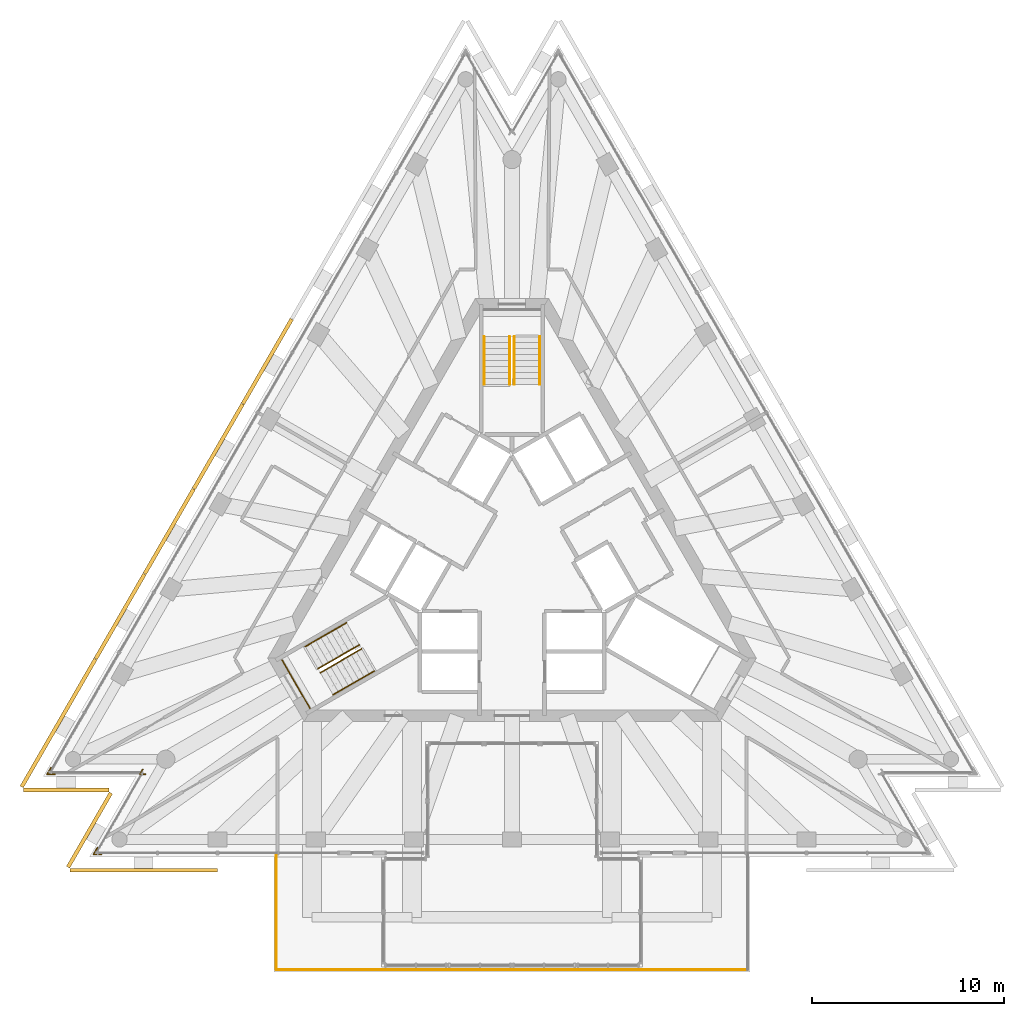
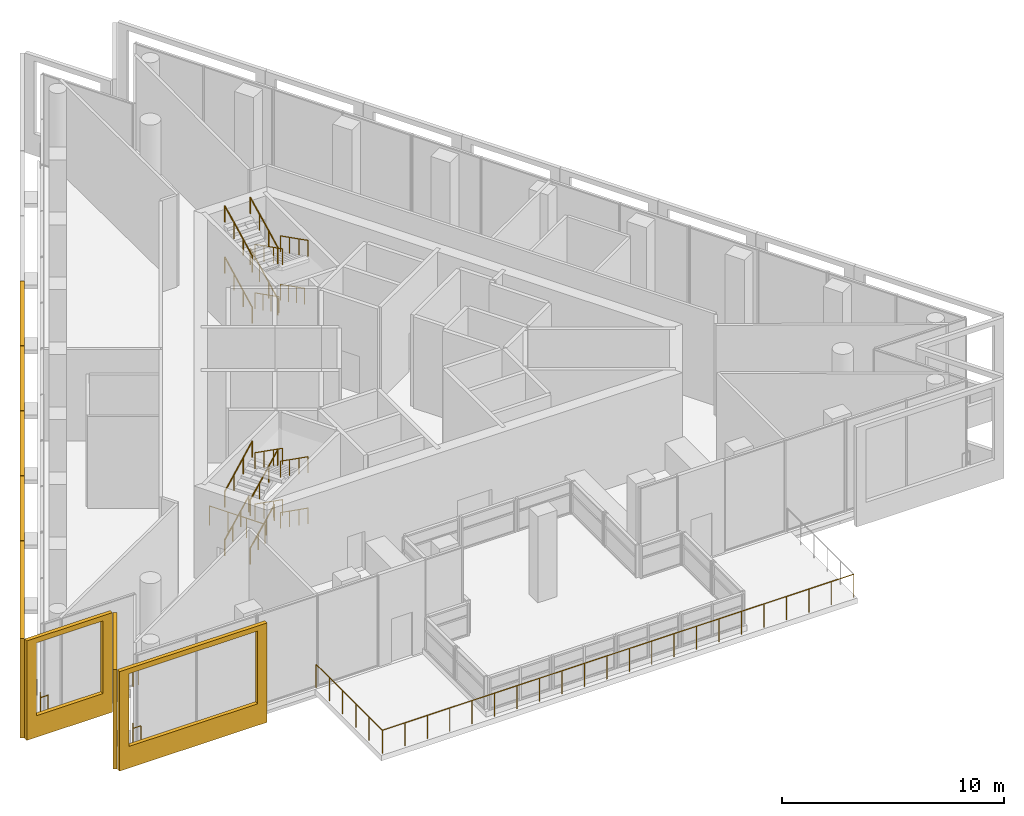
# One storey, part 16 of 17: 22 railings, 8 shading devices, 2 elements without a shape of their own.
"""IFC4 building model written with IfcOpenShell, lengths in metres."""

from ifc_helpers import new_model, si_unit, direction, frame, origin, origin_2d, place, context, subcontext, project, spatial, polyline, circle, outline, extrude, material, layer, layer_set, type_object, element, aggregate, save


model = new_model("IFC4")

# Units and contexts
model_context = context("Model", 3, precision=1e-05, world=origin(), true_north=direction((0.0, 1.0)))
body_context = subcontext(model_context, "Body", "Model", "MODEL_VIEW")
ifc_project = project(units=[si_unit("LENGTHUNIT", "METRE"), si_unit("AREAUNIT", "SQUARE_METRE"), si_unit("VOLUMEUNIT", "CUBIC_METRE"), si_unit("PLANEANGLEUNIT", "RADIAN"), si_unit("MASSUNIT", "GRAM", prefix="KILO")], contexts=[model_context])

# Site, building, storey
site_placement = place(None, origin())
site = spatial("IfcSite", under=ifc_project, at=site_placement, CompositionType="ELEMENT")
building_placement = place(site_placement, origin())
building = spatial("IfcBuilding", under=site, at=building_placement, Name="Triada Interchange Tower", CompositionType="ELEMENT")
storey_placement = place(building_placement, frame((0.0, 0.0, 322.300048828125)))
storey = spatial("IfcBuildingStorey", under=building, at=storey_placement, Name="L77", CompositionType="ELEMENT", Elevation=322.300048828125)

# Railings
ifc_material_1 = material(Name="Stainless steel 1.4301", Category="steel")
railing_type_1 = type_object("IfcRailingType", Name="Edge guard 1100", PredefinedType="GUARDRAIL", material=ifc_material_1)
railing_1_placement = place(storey_placement, frame((-24.02001953125, -10.843017578125, 0.0)))
element("IfcRailing", 1, at=railing_1_placement, inside=storey, type_object=railing_type_1, Name="Edge guard L77 corner 02", PredefinedType="GUARDRAIL", context=body_context, shape_type="SweptSolid", body=[
    extrude(circle(Radius=0.02392578125, at=origin_2d()), frame((0.0, 0.0, 1.076171875), z_axis=(-0.49930626892, -0.866425559305, 0.0), x_axis=(0.866425559305, -0.49930626892, 0.0)), (0.0, 0.0, 1.0), 0.40625),
    extrude(circle(Radius=0.02392578125, at=origin_2d()), frame((-0.202880859375, -0.35205078125, 1.076171875), z_axis=(1.0, 0.0, 0.0), x_axis=(0.0, 1.0, 0.0)), (0.0, 0.0, 1.0), 0.406005859375),
    extrude(circle(Radius=0.02099609375, at=origin_2d()), origin(), (0.0, 0.0, 1.0), 1.052001953125),
    extrude(circle(Radius=0.02099609375, at=origin_2d()), frame((-0.202880859375, -0.35205078125, 0.0)), (0.0, 0.0, 1.0), 1.052001953125),
    extrude(circle(Radius=0.02099609375, at=origin_2d()), frame((0.203125, -0.35205078125, 0.0)), (0.0, 0.0, 1.0), 1.052001953125),
])
railing_2_placement = place(storey_placement, frame((-19.10400390625, -11.195068359375, 0.0)))
element("IfcRailing", 2, at=railing_2_placement, inside=storey, type_object=railing_type_1, Name="Edge guard L77 corner 03", PredefinedType="GUARDRAIL", context=body_context, shape_type="SweptSolid", body=[
    extrude(circle(Radius=0.02392578125, at=origin_2d()), frame((0.0, 0.0, 1.076171875), z_axis=(-1.0, 0.0, 0.0), x_axis=(0.0, -1.0, 0.0)), (0.0, 0.0, 1.0), 0.285888671875),
    extrude(circle(Radius=0.02392578125, at=origin_2d()), frame((-0.285888671875, 0.0, 1.076171875), z_axis=(0.498983857023, 0.866611279889, 0.0), x_axis=(-0.866611279889, 0.498983857023, 0.0)), (0.0, 0.0, 1.0), 0.2861328125),
    extrude(circle(Radius=0.02099609375, at=origin_2d()), origin(), (0.0, 0.0, 1.0), 1.052001953125),
    extrude(circle(Radius=0.02099609375, at=origin_2d()), frame((-0.285888671875, 0.0, 0.0)), (0.0, 0.0, 1.0), 1.052001953125),
    extrude(circle(Radius=0.02099609375, at=origin_2d()), frame((-0.14306640625, 0.248046875, 0.0)), (0.0, 0.0, 1.0), 1.052001953125),
])
railing_3_placement = place(storey_placement, frame((-21.60302734375, -15.028076171875, 0.0)))
element("IfcRailing", 3, at=railing_3_placement, inside=storey, type_object=railing_type_1, Name="Edge guard L77 corner 04", PredefinedType="GUARDRAIL", context=body_context, shape_type="SweptSolid", body=[
    extrude(circle(Radius=0.02392578125, at=origin_2d()), frame((0.0, 0.0, 1.076171875), z_axis=(-0.499566316511, -0.86627564632, 0.0), x_axis=(0.86627564632, -0.499566316511, 0.0)), (0.0, 0.0, 1.0), 0.406005859375),
    extrude(circle(Radius=0.02392578125, at=origin_2d()), frame((-0.202880859375, -0.351806640625, 1.076171875), z_axis=(1.0, 0.0, 0.0), x_axis=(0.0, 1.0, 0.0)), (0.0, 0.0, 1.0), 0.406005859375),
    extrude(circle(Radius=0.02099609375, at=origin_2d()), origin(), (0.0, 0.0, 1.0), 1.052001953125),
    extrude(circle(Radius=0.02099609375, at=origin_2d()), frame((-0.202880859375, -0.351806640625, 0.0)), (0.0, 0.0, 1.0), 1.052001953125),
    extrude(circle(Radius=0.02099609375, at=origin_2d()), frame((0.203125, -0.351806640625, 0.0)), (0.0, 0.0, 1.0), 1.052001953125),
])

# Shading devices
ifc_material_2 = material(Name="Concrete C50/60 precast", Category="concrete")
ifc_layer_1 = layer(ifc_material_2, 0.02001953125, Name="Exposed aggregate face")
ifc_layer_2 = layer(ifc_material_2, 0.179931640625, Name="Precast concrete screen")
ifc_layer_set = layer_set([ifc_layer_1, ifc_layer_2], Name="Outer skin screen panel 5480")
shading_device_type = type_object("IfcShadingDeviceType", Name="Outer skin screen panel 5480", PredefinedType="SHUTTER", material=ifc_layer_set)
shading_device_1_placement = place(storey_placement, frame((-11.39111328125, 12.469970703125, -0.2900390625), z_axis=(0.0, 0.0, 1.0), x_axis=(-0.500036405339, -0.866004384132, 0.0)))
element("IfcShadingDevice", 4, at=shading_device_1_placement, inside=storey, type_object=shading_device_type, Name="Outer skin screen panel L77 04", PredefinedType="SHUTTER", context=body_context, shape_type="SweptSolid", body=[
    extrude(outline(polyline([(0.0, 0.0), (5.09326171875, 0.0), (5.09326171875, 5.47998046875), (0.0, 5.47998046875), (0.0, 0.0)]), holes=[polyline([(0.5, 1.18994140625), (0.5, 5.199951171875), (4.593994140625, 5.199951171875), (4.593994140625, 1.18994140625), (0.5, 1.18994140625)])]), frame((0.0, 0.0, 0.0), z_axis=(0.0, -1.0, 0.0), x_axis=(1.0, 0.0, 0.0)), (0.0, 0.0, 1.0), 0.199951171875),
])
shading_device_2_placement = place(storey_placement, frame((-13.947998046875, 8.041015625, -0.2900390625), z_axis=(0.0, 0.0, 1.0), x_axis=(-0.500051595647, -0.865995612974, 0.0)))
element("IfcShadingDevice", 5, at=shading_device_2_placement, inside=storey, type_object=shading_device_type, Name="Outer skin screen panel L77 05", PredefinedType="SHUTTER", context=body_context, shape_type="SweptSolid", body=[
    extrude(outline(polyline([(0.0, 0.0), (5.09375, 0.0), (5.09375, 5.47998046875), (0.0, 5.47998046875), (0.0, 0.0)]), holes=[polyline([(0.5, 1.18994140625), (0.5, 5.199951171875), (4.593994140625, 5.199951171875), (4.593994140625, 1.18994140625), (0.5, 1.18994140625)])]), frame((0.0, 0.0, 0.0), z_axis=(0.0, -1.0, 0.0), x_axis=(1.0, 0.0, 0.0)), (0.0, 0.0, 1.0), 0.199951171875),
])
for number, where, z_axis, x_axis, name in (
    (6, (-16.5048828125, 3.613037109375, -0.2900390625), (0.0, 0.0, 1.0), (-0.499968584574, -0.866043540729, 0.0), "Outer skin screen panel L77 06"),
    (7, (-19.06201171875, -0.81591796875, -0.2900390625), (0.0, 0.0, 1.0), (-0.499932640395, -0.866064290378, 0.0), "Outer skin screen panel L77 07"),
):
    element("IfcShadingDevice", number, at=place(storey_placement, frame(where, z_axis=z_axis, x_axis=x_axis)), inside=storey, type_object=shading_device_type, Name=name, PredefinedType="SHUTTER", context=body_context, shape_type="SweptSolid", body=[
        extrude(outline(polyline([(0.0, 0.0), (5.094482421875, 0.0), (5.094482421875, 5.47998046875), (0.0, 5.47998046875), (0.0, 0.0)]), holes=[polyline([(0.5, 1.18994140625), (0.5, 5.199951171875), (4.593994140625, 5.199951171875), (4.593994140625, 1.18994140625), (0.5, 1.18994140625)])]), frame((0.0, 0.0, 0.0), z_axis=(0.0, -1.0, 0.0), x_axis=(1.0, 0.0, 0.0)), (0.0, 0.0, 1.0), 0.199951171875),
    ])
shading_device_3_placement = place(storey_placement, frame((-21.618896484375, -5.2451171875, -0.2900390625), z_axis=(0.0, 0.0, 1.0), x_axis=(-0.50005124388, -0.865995816095, 0.0)))
element("IfcShadingDevice", 8, at=shading_device_3_placement, inside=storey, type_object=shading_device_type, Name="Outer skin screen panel L77 08", PredefinedType="SHUTTER", context=body_context, shape_type="SweptSolid", body=[
    extrude(outline(polyline([(0.0, 0.0), (7.691650390625, 0.0), (7.691650390625, 5.47998046875), (0.0, 5.47998046875), (0.0, 0.0)]), holes=[polyline([(0.5, 1.18994140625), (0.5, 5.199951171875), (7.19189453125, 5.199951171875), (7.19189453125, 1.18994140625), (0.5, 1.18994140625)])]), frame((0.0, 0.0, 0.0), z_axis=(0.0, -1.0, 0.0), x_axis=(1.0, 0.0, 0.0)), (0.0, 0.0, 1.0), 0.199951171875),
])
shading_device_4_placement = place(storey_placement, frame((-25.4599609375, -11.9150390625, -0.2900390625), z_axis=(0.0, 0.0, 1.0), x_axis=(1.0, 0.0, 0.0)))
element("IfcShadingDevice", 9, at=shading_device_4_placement, inside=storey, type_object=shading_device_type, Name="Outer skin screen panel L77 09", PredefinedType="SHUTTER", context=body_context, shape_type="SweptSolid", body=[
    extrude(outline(polyline([(0.0, 0.0), (4.466064453125, 0.0), (4.466064453125, 5.47998046875), (0.0, 5.47998046875), (0.0, 0.0)]), holes=[polyline([(0.5, 1.18994140625), (0.5, 5.199951171875), (3.966064453125, 5.199951171875), (3.966064453125, 1.18994140625), (0.5, 1.18994140625)])]), frame((0.0, 0.0, 0.0), z_axis=(0.0, -1.0, 0.0), x_axis=(1.0, 0.0, 0.0)), (0.0, 0.0, 1.0), 0.199951171875),
])
shading_device_5_placement = place(storey_placement, frame((-20.81494140625, -12.22412109375, -0.2900390625), z_axis=(0.0, 0.0, 1.0), x_axis=(-0.500096321064, -0.86596978565, 0.0)))
element("IfcShadingDevice", 10, at=shading_device_5_placement, inside=storey, type_object=shading_device_type, Name="Outer skin screen panel L77 10", PredefinedType="SHUTTER", context=body_context, shape_type="SweptSolid", body=[
    extrude(outline(polyline([(0.0, 0.0), (4.46533203125, 0.0), (4.46533203125, 5.47998046875), (0.0, 5.47998046875), (0.0, 0.0)]), holes=[polyline([(0.5, 1.18994140625), (0.5, 5.199951171875), (3.965576171875, 5.199951171875), (3.965576171875, 1.18994140625), (0.5, 1.18994140625)])]), frame((0.0, 0.0, 0.0), z_axis=(0.0, -1.0, 0.0), x_axis=(1.0, 0.0, 0.0)), (0.0, 0.0, 1.0), 0.199951171875),
])
shading_device_6_placement = place(storey_placement, frame((-23.04296875, -16.10009765625, -0.2900390625), z_axis=(0.0, 0.0, 1.0), x_axis=(1.0, 0.0, 0.0)))
element("IfcShadingDevice", 11, at=shading_device_6_placement, inside=storey, type_object=shading_device_type, Name="Outer skin screen panel L77 11", PredefinedType="SHUTTER", context=body_context, shape_type="SweptSolid", body=[
    extrude(outline(polyline([(0.0, 0.0), (7.69189453125, 0.0), (7.69189453125, 5.47998046875), (0.0, 5.47998046875), (0.0, 0.0)]), holes=[polyline([(0.5, 1.18994140625), (0.5, 5.199951171875), (7.19189453125, 5.199951171875), (7.19189453125, 1.18994140625), (0.5, 1.18994140625)])]), frame((0.0, 0.0, 0.0), z_axis=(0.0, -1.0, 0.0), x_axis=(1.0, 0.0, 0.0)), (0.0, 0.0, 1.0), 0.199951171875),
])

# Railings
railing_type_2 = type_object("IfcRailingType", Name="Pool deck guard 1300", PredefinedType="GUARDRAIL", material=ifc_material_1)
railing_4_placement = place(storey_placement, frame((-12.280029296875, -15.39990234375, 0.0)))
element("IfcRailing", 12, at=railing_4_placement, inside=storey, type_object=railing_type_2, Name="Pool deck guard 1", PredefinedType="GUARDRAIL", context=body_context, shape_type="SweptSolid", body=[
    extrude(circle(Radius=0.02392578125, at=origin_2d()), frame((0.0, 0.0, 1.27587890625), z_axis=(0.0, -1.0, 0.0), x_axis=(1.0, 0.0, 0.0)), (0.0, 0.0, 1.0), 5.97998046875),
    extrude(circle(Radius=0.02099609375, at=origin_2d()), origin(), (0.0, 0.0, 1.0), 1.251953125),
    extrude(circle(Radius=0.02099609375, at=origin_2d()), frame((0.0, -1.196044921875, 0.0)), (0.0, 0.0, 1.0), 1.251953125),
    extrude(circle(Radius=0.02099609375, at=origin_2d()), frame((0.0, -2.39208984375, 0.0)), (0.0, 0.0, 1.0), 1.251953125),
    extrude(circle(Radius=0.02099609375, at=origin_2d()), frame((0.0, -3.587890625, 0.0)), (0.0, 0.0, 1.0), 1.251953125),
    extrude(circle(Radius=0.02099609375, at=origin_2d()), frame((0.0, -4.783935546875, 0.0)), (0.0, 0.0, 1.0), 1.251953125),
    extrude(circle(Radius=0.02099609375, at=origin_2d()), frame((0.0, -5.97998046875, 0.0)), (0.0, 0.0, 1.0), 1.251953125),
])
railing_5_placement = place(storey_placement, frame((-12.280029296875, -21.3798828125, 0.0)))
element("IfcRailing", 13, at=railing_5_placement, inside=storey, type_object=railing_type_2, Name="Pool deck guard 2", PredefinedType="GUARDRAIL", context=body_context, shape_type="SweptSolid", body=[
    extrude(circle(Radius=0.02392578125, at=origin_2d()), frame((0.0, 0.0, 1.27587890625), z_axis=(1.0, 0.0, 0.0), x_axis=(0.0, 1.0, 0.0)), (0.0, 0.0, 1.0), 24.56005859375),
    extrude(circle(Radius=0.02099609375, at=origin_2d()), origin(), (0.0, 0.0, 1.0), 1.251953125),
    extrude(circle(Radius=0.02099609375, at=origin_2d()), frame((1.16943359375, 0.0, 0.0)), (0.0, 0.0, 1.0), 1.251953125),
    extrude(circle(Radius=0.02099609375, at=origin_2d()), frame((2.339111328125, 0.0, 0.0)), (0.0, 0.0, 1.0), 1.251953125),
    extrude(circle(Radius=0.02099609375, at=origin_2d()), frame((3.508544921875, 0.0, 0.0)), (0.0, 0.0, 1.0), 1.251953125),
    extrude(circle(Radius=0.02099609375, at=origin_2d()), frame((4.67822265625, 0.0, 0.0)), (0.0, 0.0, 1.0), 1.251953125),
    extrude(circle(Radius=0.02099609375, at=origin_2d()), frame((5.84765625, 0.0, 0.0)), (0.0, 0.0, 1.0), 1.251953125),
    extrude(circle(Radius=0.02099609375, at=origin_2d()), frame((7.01708984375, 0.0, 0.0)), (0.0, 0.0, 1.0), 1.251953125),
    extrude(circle(Radius=0.02099609375, at=origin_2d()), frame((8.186767578125, 0.0, 0.0)), (0.0, 0.0, 1.0), 1.251953125),
    extrude(circle(Radius=0.02099609375, at=origin_2d()), frame((9.356201171875, 0.0, 0.0)), (0.0, 0.0, 1.0), 1.251953125),
    extrude(circle(Radius=0.02099609375, at=origin_2d()), frame((10.525634765625, 0.0, 0.0)), (0.0, 0.0, 1.0), 1.251953125),
    extrude(circle(Radius=0.02099609375, at=origin_2d()), frame((11.6953125, 0.0, 0.0)), (0.0, 0.0, 1.0), 1.251953125),
    extrude(circle(Radius=0.02099609375, at=origin_2d()), frame((12.86474609375, 0.0, 0.0)), (0.0, 0.0, 1.0), 1.251953125),
    extrude(circle(Radius=0.02099609375, at=origin_2d()), frame((14.034423828125, 0.0, 0.0)), (0.0, 0.0, 1.0), 1.251953125),
    extrude(circle(Radius=0.02099609375, at=origin_2d()), frame((15.203857421875, 0.0, 0.0)), (0.0, 0.0, 1.0), 1.251953125),
    extrude(circle(Radius=0.02099609375, at=origin_2d()), frame((16.373291015625, 0.0, 0.0)), (0.0, 0.0, 1.0), 1.251953125),
    extrude(circle(Radius=0.02099609375, at=origin_2d()), frame((17.54296875, 0.0, 0.0)), (0.0, 0.0, 1.0), 1.251953125),
    extrude(circle(Radius=0.02099609375, at=origin_2d()), frame((18.71240234375, 0.0, 0.0)), (0.0, 0.0, 1.0), 1.251953125),
    extrude(circle(Radius=0.02099609375, at=origin_2d()), frame((19.8818359375, 0.0, 0.0)), (0.0, 0.0, 1.0), 1.251953125),
    extrude(circle(Radius=0.02099609375, at=origin_2d()), frame((21.051513671875, 0.0, 0.0)), (0.0, 0.0, 1.0), 1.251953125),
    extrude(circle(Radius=0.02099609375, at=origin_2d()), frame((22.220947265625, 0.0, 0.0)), (0.0, 0.0, 1.0), 1.251953125),
    extrude(circle(Radius=0.02099609375, at=origin_2d()), frame((23.390625, 0.0, 0.0)), (0.0, 0.0, 1.0), 1.251953125),
    extrude(circle(Radius=0.02099609375, at=origin_2d()), frame((24.56005859375, 0.0, 0.0)), (0.0, 0.0, 1.0), 1.251953125),
])

# Stair, railing
ifc_material_3 = material(Name="Concrete C35/45", Category="concrete")
stair_type = type_object("IfcStairType", Name="HALF TURN STAIR 1400", PredefinedType="HALF_TURN_STAIR", material=ifc_material_3)
stair_1_placement = place(storey_placement, origin())
stair_1 = element("IfcStair", 14, at=stair_1_placement, inside=storey, type_object=stair_type, Name="Exit stair S77-2", PredefinedType="HALF_TURN_STAIR")
railing_type_3 = type_object("IfcRailingType", Name="STAIR GUARD 1100", PredefinedType="GUARDRAIL", material=ifc_material_1)
railing_6_placement = place(storey_placement, frame((-11.98291015625, -5.243896484375, 2.67138671875)))
railing_6 = element("IfcRailing", 15, at=railing_6_placement, type_object=railing_type_3, Name="Guard S77-2 1", PredefinedType="GUARDRAIL", context=body_context, shape_type="SweptSolid", body=[
    extrude(circle(Radius=0.02392578125, at=origin_2d()), frame((0.0, 0.0, 1.076171875), z_axis=(0.499877891294, -0.866095891802, 0.0), x_axis=(0.866095891802, 0.499877891294, 0.0)), (0.0, 0.0, 1.0), 2.900634765625),
    extrude(circle(Radius=0.02099609375, at=origin_2d()), origin(), (0.0, 0.0, 1.0), 1.052001953125),
    extrude(circle(Radius=0.02099609375, at=origin_2d()), frame((0.4833984375, -0.83740234375, 0.0)), (0.0, 0.0, 1.0), 1.052001953125),
    extrude(circle(Radius=0.02099609375, at=origin_2d()), frame((0.966552734375, -1.6748046875, 0.0)), (0.0, 0.0, 1.0), 1.052001953125),
    extrude(circle(Radius=0.02099609375, at=origin_2d()), frame((1.449951171875, -2.51220703125, 0.0)), (0.0, 0.0, 1.0), 1.052001953125),
])

# Stair, railings
stair_2_placement = place(storey_placement, origin())
stair_2 = element("IfcStair", 16, at=stair_2_placement, inside=storey, type_object=stair_type, Name="Exit stair S77-1", PredefinedType="HALF_TURN_STAIR")
railing_type_4 = type_object("IfcRailingType", Name="STAIR HANDRAIL 900", PredefinedType="HANDRAIL", material=ifc_material_1)
railing_7_placement = place(storey_placement, frame((1.449951171875, 11.60009765625, 0.156982421875)))
railing_7 = element("IfcRailing", 17, at=railing_7_placement, type_object=railing_type_4, Name="Handrail S77-1 1W", PredefinedType="HANDRAIL", context=body_context, shape_type="SweptSolid", body=[
    extrude(circle(Radius=0.02392578125, at=origin_2d()), frame((0.0, 0.0, 0.8759765625), z_axis=(0.0, -0.891945138919, 0.452143637751), x_axis=(1.0, 0.0, 0.0)), (0.0, 0.0, 1.0), 2.43310546875),
    extrude(circle(Radius=0.02099609375, at=origin_2d()), origin(), (0.0, 0.0, 1.0), 0.851806640625),
    extrude(circle(Radius=0.02099609375, at=origin_2d()), frame((0.0, -0.723388671875, 0.36669921875)), (0.0, 0.0, 1.0), 0.851806640625),
    extrude(circle(Radius=0.02099609375, at=origin_2d()), frame((0.0, -1.44677734375, 0.7333984375)), (0.0, 0.0, 1.0), 0.851806640625),
    extrude(circle(Radius=0.02099609375, at=origin_2d()), frame((0.0, -2.170166015625, 1.10009765625)), (0.0, 0.0, 1.0), 0.851806640625),
])
railing_8_placement = place(storey_placement, frame((0.1201171875, 11.60009765625, 0.156982421875)))
railing_8 = element("IfcRailing", 18, at=railing_8_placement, type_object=railing_type_4, Name="Handrail S77-1 1C", PredefinedType="HANDRAIL", context=body_context, shape_type="SweptSolid", body=[
    extrude(circle(Radius=0.02392578125, at=origin_2d()), frame((0.0, 0.0, 0.8759765625), z_axis=(0.0, -0.891945138919, 0.452143637751), x_axis=(1.0, 0.0, 0.0)), (0.0, 0.0, 1.0), 2.43310546875),
    extrude(circle(Radius=0.02099609375, at=origin_2d()), origin(), (0.0, 0.0, 1.0), 0.851806640625),
    extrude(circle(Radius=0.02099609375, at=origin_2d()), frame((0.0, -0.723388671875, 0.36669921875)), (0.0, 0.0, 1.0), 0.851806640625),
    extrude(circle(Radius=0.02099609375, at=origin_2d()), frame((0.0, -1.44677734375, 0.7333984375)), (0.0, 0.0, 1.0), 0.851806640625),
    extrude(circle(Radius=0.02099609375, at=origin_2d()), frame((0.0, -2.170166015625, 1.10009765625)), (0.0, 0.0, 1.0), 0.851806640625),
])
railing_9_placement = place(storey_placement, frame((-1.449951171875, 9.1201171875, 1.4140625)))
railing_9 = element("IfcRailing", 19, at=railing_9_placement, type_object=railing_type_4, Name="Handrail S77-1 2W", PredefinedType="HANDRAIL", context=body_context, shape_type="SweptSolid", body=[
    extrude(circle(Radius=0.02392578125, at=origin_2d()), frame((0.0, 0.0, 0.8759765625), z_axis=(0.0, 0.89191963429, 0.452193947292), x_axis=(-1.0, 0.0, 0.0)), (0.0, 0.0, 1.0), 2.780517578125),
    extrude(circle(Radius=0.02099609375, at=origin_2d()), origin(), (0.0, 0.0, 1.0), 0.851806640625),
    extrude(circle(Radius=0.02099609375, at=origin_2d()), frame((0.0, 0.82666015625, 0.419189453125)), (0.0, 0.0, 1.0), 0.851806640625),
    extrude(circle(Radius=0.02099609375, at=origin_2d()), frame((0.0, 1.6533203125, 0.838134765625)), (0.0, 0.0, 1.0), 0.851806640625),
    extrude(circle(Radius=0.02099609375, at=origin_2d()), frame((0.0, 2.47998046875, 1.25732421875)), (0.0, 0.0, 1.0), 0.851806640625),
])
railing_10_placement = place(storey_placement, frame((-0.1201171875, 9.1201171875, 1.4140625)))
railing_10 = element("IfcRailing", 20, at=railing_10_placement, type_object=railing_type_4, Name="Handrail S77-1 2C", PredefinedType="HANDRAIL", context=body_context, shape_type="SweptSolid", body=[
    extrude(circle(Radius=0.02392578125, at=origin_2d()), frame((0.0, 0.0, 0.8759765625), z_axis=(0.0, 0.89191963429, 0.452193947292), x_axis=(-1.0, 0.0, 0.0)), (0.0, 0.0, 1.0), 2.780517578125),
    extrude(circle(Radius=0.02099609375, at=origin_2d()), origin(), (0.0, 0.0, 1.0), 0.851806640625),
    extrude(circle(Radius=0.02099609375, at=origin_2d()), frame((0.0, 0.82666015625, 0.419189453125)), (0.0, 0.0, 1.0), 0.851806640625),
    extrude(circle(Radius=0.02099609375, at=origin_2d()), frame((0.0, 1.6533203125, 0.838134765625)), (0.0, 0.0, 1.0), 0.851806640625),
    extrude(circle(Radius=0.02099609375, at=origin_2d()), frame((0.0, 2.47998046875, 1.25732421875)), (0.0, 0.0, 1.0), 0.851806640625),
])
railing_11_placement = place(storey_placement, frame((1.449951171875, 11.60009765625, 2.828369140625)))
railing_11 = element("IfcRailing", 21, at=railing_11_placement, type_object=railing_type_4, Name="Handrail S77-1 3W", PredefinedType="HANDRAIL", context=body_context, shape_type="SweptSolid", body=[
    extrude(circle(Radius=0.02392578125, at=origin_2d()), frame((0.0, 0.0, 0.8759765625), z_axis=(0.0, -0.89191963429, 0.452193947292), x_axis=(1.0, 0.0, 0.0)), (0.0, 0.0, 1.0), 2.780517578125),
    extrude(circle(Radius=0.02099609375, at=origin_2d()), origin(), (0.0, 0.0, 1.0), 0.851806640625),
    extrude(circle(Radius=0.02099609375, at=origin_2d()), frame((0.0, -0.82666015625, 0.419189453125)), (0.0, 0.0, 1.0), 0.851806640625),
    extrude(circle(Radius=0.02099609375, at=origin_2d()), frame((0.0, -1.6533203125, 0.838134765625)), (0.0, 0.0, 1.0), 0.851806640625),
    extrude(circle(Radius=0.02099609375, at=origin_2d()), frame((0.0, -2.47998046875, 1.25732421875)), (0.0, 0.0, 1.0), 0.851806640625),
])
railing_12_placement = place(storey_placement, frame((0.1201171875, 11.60009765625, 2.828369140625)))
railing_12 = element("IfcRailing", 22, at=railing_12_placement, type_object=railing_type_4, Name="Handrail S77-1 3C", PredefinedType="HANDRAIL", context=body_context, shape_type="SweptSolid", body=[
    extrude(circle(Radius=0.02392578125, at=origin_2d()), frame((0.0, 0.0, 0.8759765625), z_axis=(0.0, -0.89191963429, 0.452193947292), x_axis=(1.0, 0.0, 0.0)), (0.0, 0.0, 1.0), 2.780517578125),
    extrude(circle(Radius=0.02099609375, at=origin_2d()), origin(), (0.0, 0.0, 1.0), 0.851806640625),
    extrude(circle(Radius=0.02099609375, at=origin_2d()), frame((0.0, -0.82666015625, 0.419189453125)), (0.0, 0.0, 1.0), 0.851806640625),
    extrude(circle(Radius=0.02099609375, at=origin_2d()), frame((0.0, -1.6533203125, 0.838134765625)), (0.0, 0.0, 1.0), 0.851806640625),
    extrude(circle(Radius=0.02099609375, at=origin_2d()), frame((0.0, -2.47998046875, 1.25732421875)), (0.0, 0.0, 1.0), 0.851806640625),
])
railing_13_placement = place(storey_placement, frame((-1.449951171875, 9.1201171875, 4.24267578125)))
railing_13 = element("IfcRailing", 23, at=railing_13_placement, type_object=railing_type_4, Name="Handrail S77-1 4W", PredefinedType="HANDRAIL", context=body_context, shape_type="SweptSolid", body=[
    extrude(circle(Radius=0.02392578125, at=origin_2d()), frame((0.0, 0.0, 0.8759765625), z_axis=(0.0, 0.89195504639, 0.452124092721), x_axis=(-1.0, 0.0, 0.0)), (0.0, 0.0, 1.0), 2.7802734375),
    extrude(circle(Radius=0.02099609375, at=origin_2d()), origin(), (0.0, 0.0, 1.0), 0.851806640625),
    extrude(circle(Radius=0.02099609375, at=origin_2d()), frame((0.0, 0.82666015625, 0.4189453125)), (0.0, 0.0, 1.0), 0.851806640625),
    extrude(circle(Radius=0.02099609375, at=origin_2d()), frame((0.0, 1.6533203125, 0.838134765625)), (0.0, 0.0, 1.0), 0.851806640625),
    extrude(circle(Radius=0.02099609375, at=origin_2d()), frame((0.0, 2.47998046875, 1.257080078125)), (0.0, 0.0, 1.0), 0.851806640625),
])
railing_14_placement = place(storey_placement, frame((-0.1201171875, 9.1201171875, 4.24267578125)))
railing_14 = element("IfcRailing", 24, at=railing_14_placement, type_object=railing_type_4, Name="Handrail S77-1 4C", PredefinedType="HANDRAIL", context=body_context, shape_type="SweptSolid", body=[
    extrude(circle(Radius=0.02392578125, at=origin_2d()), frame((0.0, 0.0, 0.8759765625), z_axis=(0.0, 0.89195504639, 0.452124092721), x_axis=(-1.0, 0.0, 0.0)), (0.0, 0.0, 1.0), 2.7802734375),
    extrude(circle(Radius=0.02099609375, at=origin_2d()), origin(), (0.0, 0.0, 1.0), 0.851806640625),
    extrude(circle(Radius=0.02099609375, at=origin_2d()), frame((0.0, 0.82666015625, 0.4189453125)), (0.0, 0.0, 1.0), 0.851806640625),
    extrude(circle(Radius=0.02099609375, at=origin_2d()), frame((0.0, 1.6533203125, 0.838134765625)), (0.0, 0.0, 1.0), 0.851806640625),
    extrude(circle(Radius=0.02099609375, at=origin_2d()), frame((0.0, 2.47998046875, 1.257080078125)), (0.0, 0.0, 1.0), 0.851806640625),
])
aggregate(stair_2, [railing_7, railing_8, railing_9, railing_10, railing_11, railing_12, railing_13, railing_14])

# Railing
railing_15_placement = place(storey_placement, frame((-10.77099609375, -4.5439453125, 0.156982421875)))
railing_15 = element("IfcRailing", 25, at=railing_15_placement, type_object=railing_type_4, Name="Handrail S77-2 1W", PredefinedType="HANDRAIL", context=body_context, shape_type="SweptSolid", body=[
    extrude(circle(Radius=0.02392578125, at=origin_2d()), frame((0.0, 0.0, 0.8759765625), z_axis=(0.772379434216, 0.446004964352, 0.452227355844), x_axis=(-0.500060114735, 0.865990693744, 0.0)), (0.0, 0.0, 1.0), 2.4326171875),
    extrude(circle(Radius=0.02099609375, at=origin_2d()), origin(), (0.0, 0.0, 1.0), 0.851806640625),
    extrude(circle(Radius=0.02099609375, at=origin_2d()), frame((0.626220703125, 0.361572265625, 0.36669921875)), (0.0, 0.0, 1.0), 0.851806640625),
    extrude(circle(Radius=0.02099609375, at=origin_2d()), frame((1.252685546875, 0.723388671875, 0.7333984375)), (0.0, 0.0, 1.0), 0.851806640625),
    extrude(circle(Radius=0.02099609375, at=origin_2d()), frame((1.87890625, 1.0849609375, 1.10009765625)), (0.0, 0.0, 1.0), 0.851806640625),
])

railing_16_placement = place(storey_placement, frame((-10.10595703125, -5.696044921875, 0.156982421875)))
railing_16 = element("IfcRailing", 26, at=railing_16_placement, type_object=railing_type_4, Name="Handrail S77-2 1C", PredefinedType="HANDRAIL", context=body_context, shape_type="SweptSolid", body=[
    extrude(circle(Radius=0.02392578125, at=origin_2d()), frame((0.0, 0.0, 0.8759765625), z_axis=(0.772379434216, 0.446004964352, 0.452227355844), x_axis=(-0.500060114735, 0.865990693744, 0.0)), (0.0, 0.0, 1.0), 2.4326171875),
    extrude(circle(Radius=0.02099609375, at=origin_2d()), origin(), (0.0, 0.0, 1.0), 0.851806640625),
    extrude(circle(Radius=0.02099609375, at=origin_2d()), frame((0.626220703125, 0.361572265625, 0.36669921875)), (0.0, 0.0, 1.0), 0.851806640625),
    extrude(circle(Radius=0.02099609375, at=origin_2d()), frame((1.252685546875, 0.723388671875, 0.7333984375)), (0.0, 0.0, 1.0), 0.851806640625),
    extrude(circle(Radius=0.02099609375, at=origin_2d()), frame((1.87890625, 1.0849609375, 1.10009765625)), (0.0, 0.0, 1.0), 0.851806640625),
])

railing_17_placement = place(storey_placement, frame((-7.173095703125, -5.81591796875, 1.4140625)))
railing_17 = element("IfcRailing", 27, at=railing_17_placement, type_object=railing_type_4, Name="Handrail S77-2 2W", PredefinedType="HANDRAIL", context=body_context, shape_type="SweptSolid", body=[
    extrude(circle(Radius=0.02392578125, at=origin_2d()), frame((0.0, 0.0, 0.8759765625), z_axis=(-0.772457427584, -0.445932174892, 0.452165918625), x_axis=(0.499961042966, -0.86604789447, 0.0)), (0.0, 0.0, 1.0), 2.78076171875),
    extrude(circle(Radius=0.02099609375, at=origin_2d()), origin(), (0.0, 0.0, 1.0), 0.851806640625),
    extrude(circle(Radius=0.02099609375, at=origin_2d()), frame((-0.716064453125, -0.413330078125, 0.419189453125)), (0.0, 0.0, 1.0), 0.851806640625),
    extrude(circle(Radius=0.02099609375, at=origin_2d()), frame((-1.431884765625, -0.82666015625, 0.838134765625)), (0.0, 0.0, 1.0), 0.851806640625),
    extrude(circle(Radius=0.02099609375, at=origin_2d()), frame((-2.14794921875, -1.239990234375, 1.25732421875)), (0.0, 0.0, 1.0), 0.851806640625),
])

railing_18_placement = place(storey_placement, frame((-7.837890625, -4.6640625, 1.4140625)))
railing_18 = element("IfcRailing", 28, at=railing_18_placement, type_object=railing_type_4, Name="Handrail S77-2 2C", PredefinedType="HANDRAIL", context=body_context, shape_type="SweptSolid", body=[
    extrude(circle(Radius=0.02392578125, at=origin_2d()), frame((0.0, 0.0, 0.8759765625), z_axis=(-0.772492834239, -0.445901932617, 0.452135253589), x_axis=(0.499918423778, -0.866072496716, 0.0)), (0.0, 0.0, 1.0), 2.78076171875),
    extrude(circle(Radius=0.02099609375, at=origin_2d()), origin(), (0.0, 0.0, 1.0), 0.851806640625),
    extrude(circle(Radius=0.02099609375, at=origin_2d()), frame((-0.716064453125, -0.413330078125, 0.419189453125)), (0.0, 0.0, 1.0), 0.851806640625),
    extrude(circle(Radius=0.02099609375, at=origin_2d()), frame((-1.43212890625, -0.82666015625, 0.838134765625)), (0.0, 0.0, 1.0), 0.851806640625),
    extrude(circle(Radius=0.02099609375, at=origin_2d()), frame((-2.148193359375, -1.239990234375, 1.25732421875)), (0.0, 0.0, 1.0), 0.851806640625),
])

railing_19_placement = place(storey_placement, frame((-10.77099609375, -4.5439453125, 2.828369140625)))
railing_19 = element("IfcRailing", 29, at=railing_19_placement, type_object=railing_type_4, Name="Handrail S77-2 3W", PredefinedType="HANDRAIL", context=body_context, shape_type="SweptSolid", body=[
    extrude(circle(Radius=0.02392578125, at=origin_2d()), frame((0.0, 0.0, 0.8759765625), z_axis=(0.772457427584, 0.445932174892, 0.452165918625), x_axis=(-0.499961042966, 0.86604789447, 0.0)), (0.0, 0.0, 1.0), 2.78076171875),
    extrude(circle(Radius=0.02099609375, at=origin_2d()), origin(), (0.0, 0.0, 1.0), 0.851806640625),
    extrude(circle(Radius=0.02099609375, at=origin_2d()), frame((0.716064453125, 0.413330078125, 0.419189453125)), (0.0, 0.0, 1.0), 0.851806640625),
    extrude(circle(Radius=0.02099609375, at=origin_2d()), frame((1.431884765625, 0.82666015625, 0.838134765625)), (0.0, 0.0, 1.0), 0.851806640625),
    extrude(circle(Radius=0.02099609375, at=origin_2d()), frame((2.14794921875, 1.239990234375, 1.25732421875)), (0.0, 0.0, 1.0), 0.851806640625),
])

railing_20_placement = place(storey_placement, frame((-10.10595703125, -5.696044921875, 2.828369140625)))
railing_20 = element("IfcRailing", 30, at=railing_20_placement, type_object=railing_type_4, Name="Handrail S77-2 3C", PredefinedType="HANDRAIL", context=body_context, shape_type="SweptSolid", body=[
    extrude(circle(Radius=0.02392578125, at=origin_2d()), frame((0.0, 0.0, 0.8759765625), z_axis=(0.772457427584, 0.445932174892, 0.452165918625), x_axis=(-0.499961042966, 0.86604789447, 0.0)), (0.0, 0.0, 1.0), 2.78076171875),
    extrude(circle(Radius=0.02099609375, at=origin_2d()), origin(), (0.0, 0.0, 1.0), 0.851806640625),
    extrude(circle(Radius=0.02099609375, at=origin_2d()), frame((0.716064453125, 0.413330078125, 0.419189453125)), (0.0, 0.0, 1.0), 0.851806640625),
    extrude(circle(Radius=0.02099609375, at=origin_2d()), frame((1.431884765625, 0.82666015625, 0.838134765625)), (0.0, 0.0, 1.0), 0.851806640625),
    extrude(circle(Radius=0.02099609375, at=origin_2d()), frame((2.14794921875, 1.239990234375, 1.25732421875)), (0.0, 0.0, 1.0), 0.851806640625),
])

railing_21_placement = place(storey_placement, frame((-7.173095703125, -5.81591796875, 4.24267578125)))
railing_21 = element("IfcRailing", 31, at=railing_21_placement, type_object=railing_type_4, Name="Handrail S77-2 4W", PredefinedType="HANDRAIL", context=body_context, shape_type="SweptSolid", body=[
    extrude(circle(Radius=0.02392578125, at=origin_2d()), frame((0.0, 0.0, 0.8759765625), z_axis=(-0.772488092846, -0.44594987765, 0.452096066158), x_axis=(0.499961042966, -0.86604789447, 0.0)), (0.0, 0.0, 1.0), 2.780517578125),
    extrude(circle(Radius=0.02099609375, at=origin_2d()), origin(), (0.0, 0.0, 1.0), 0.851806640625),
    extrude(circle(Radius=0.02099609375, at=origin_2d()), frame((-0.716064453125, -0.413330078125, 0.4189453125)), (0.0, 0.0, 1.0), 0.851806640625),
    extrude(circle(Radius=0.02099609375, at=origin_2d()), frame((-1.431884765625, -0.82666015625, 0.838134765625)), (0.0, 0.0, 1.0), 0.851806640625),
    extrude(circle(Radius=0.02099609375, at=origin_2d()), frame((-2.14794921875, -1.239990234375, 1.257080078125)), (0.0, 0.0, 1.0), 0.851806640625),
])

railing_22_placement = place(storey_placement, frame((-7.837890625, -4.6640625, 4.24267578125)))
railing_22 = element("IfcRailing", 32, at=railing_22_placement, type_object=railing_type_4, Name="Handrail S77-2 4C", PredefinedType="HANDRAIL", context=body_context, shape_type="SweptSolid", body=[
    extrude(circle(Radius=0.02392578125, at=origin_2d()), frame((0.0, 0.0, 0.8759765625), z_axis=(-0.772523496746, -0.445919631773, 0.452065403426), x_axis=(0.499918423778, -0.866072496716, 0.0)), (0.0, 0.0, 1.0), 2.78076171875),
    extrude(circle(Radius=0.02099609375, at=origin_2d()), origin(), (0.0, 0.0, 1.0), 0.851806640625),
    extrude(circle(Radius=0.02099609375, at=origin_2d()), frame((-0.716064453125, -0.413330078125, 0.4189453125)), (0.0, 0.0, 1.0), 0.851806640625),
    extrude(circle(Radius=0.02099609375, at=origin_2d()), frame((-1.43212890625, -0.82666015625, 0.838134765625)), (0.0, 0.0, 1.0), 0.851806640625),
    extrude(circle(Radius=0.02099609375, at=origin_2d()), frame((-2.148193359375, -1.239990234375, 1.257080078125)), (0.0, 0.0, 1.0), 0.851806640625),
])

aggregate(stair_1, [railing_15, railing_16, railing_17, railing_18, railing_19, railing_20, railing_21, railing_22, railing_6])

save(model, "model.ifc")
